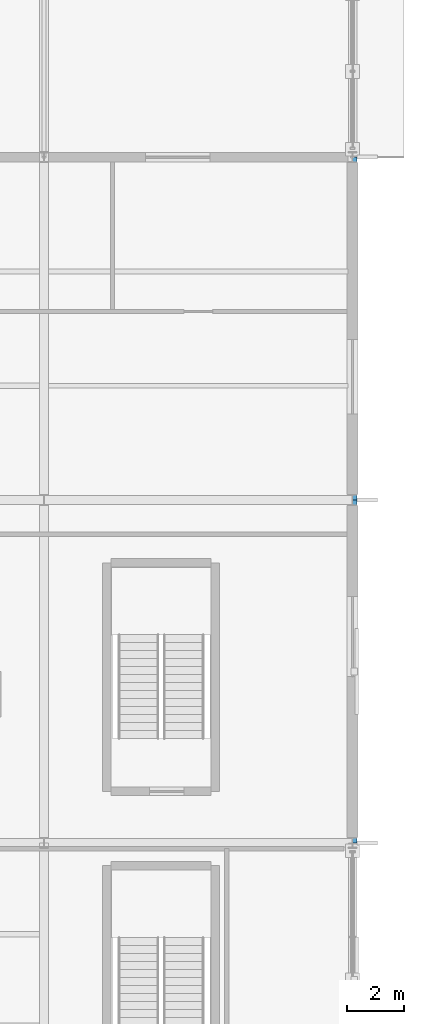
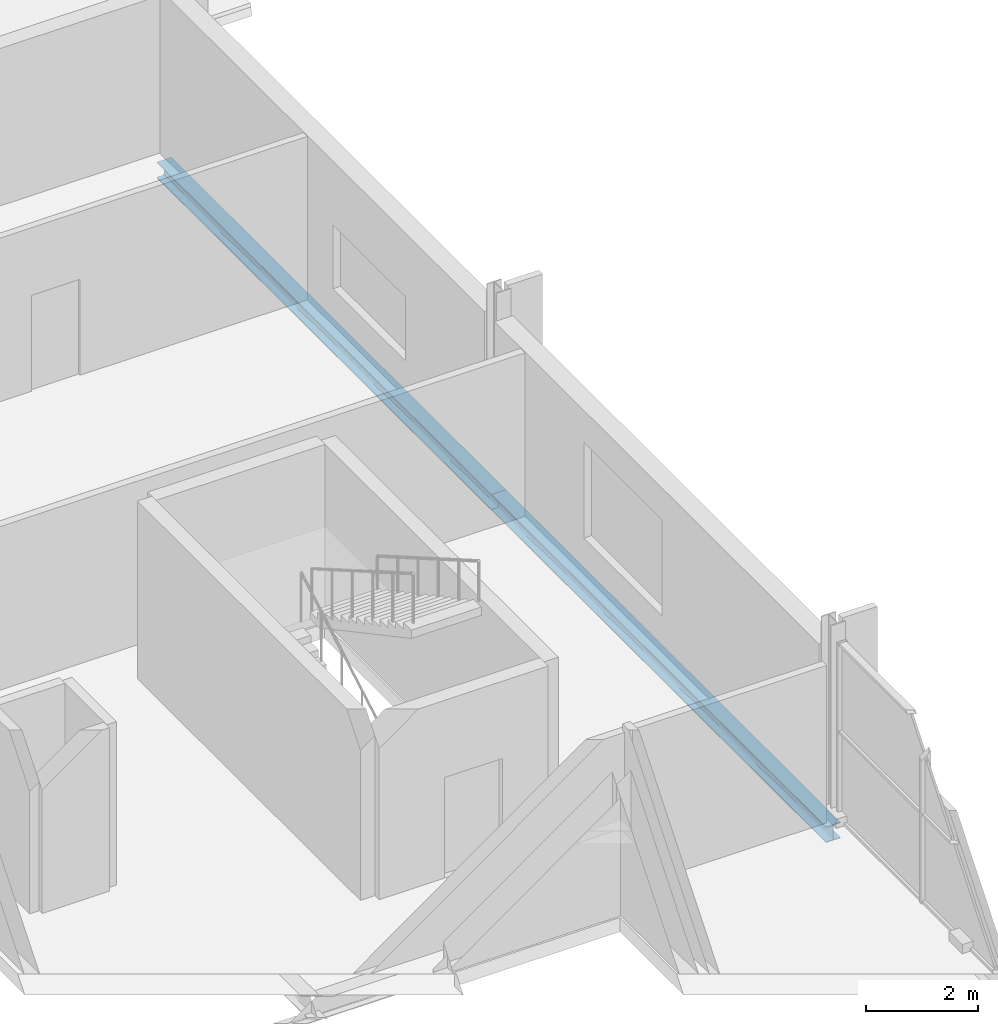
# One storey, part 85 of 117: 2 beams.
"""IFC4 building model written with IfcOpenShell, lengths in metres."""

from ifc_helpers import new_model, si_unit, direction, frame, origin, origin_2d, place, context, subcontext, project, spatial, i_section, extrude, material, material_profile, profile_set, type_object, element, save


model = new_model("IFC4")

# Units and contexts
model_context = context("Model", 3, precision=1e-05, world=origin(), true_north=direction((0.0, 1.0)))
body_context = subcontext(model_context, "Body", "Model", "MODEL_VIEW")
ifc_project = project(units=[si_unit("LENGTHUNIT", "METRE"), si_unit("AREAUNIT", "SQUARE_METRE"), si_unit("VOLUMEUNIT", "CUBIC_METRE"), si_unit("PLANEANGLEUNIT", "RADIAN"), si_unit("MASSUNIT", "GRAM", prefix="KILO")], contexts=[model_context])

# Site, building, storey
site_placement = place(None, origin())
site = spatial("IfcSite", under=ifc_project, at=site_placement, CompositionType="ELEMENT")
building_placement = place(site_placement, origin())
building = spatial("IfcBuilding", under=site, at=building_placement, Name="Merenkruunu Market Hall", CompositionType="ELEMENT")
storey_placement = place(building_placement, frame((0.0, 0.0, 10.199951171875)))
storey = spatial("IfcBuildingStorey", under=building, at=storey_placement, Name="L02", CompositionType="ELEMENT", Elevation=10.199951171875)

# Beams
ifc_material = material(Name="Steel S355J2", Category="steel")
ifc_material_profile = material_profile(ifc_material, i_section(OverallWidth=0.300048828125, OverallDepth=0.35009765625, WebThickness=0.010009765625, FlangeThickness=0.017578125, FilletRadius=0.027099609375, at=origin_2d()), Name="HEA 360")
ifc_profile_set = profile_set([ifc_material_profile], Name="Steel S355J2")
beam_type = type_object("IfcBeamType", Name="Primary Floor Girder B08", PredefinedType="BEAM", material=ifc_profile_set)
for number, where, z_axis, x_axis, name in (
    (1, (192.0, 15.60009765625, -0.48486328125), (0.0, 1.0, 0.0), (-1.0, 0.0, 0.0), "BM-L02-B08-0814"),
    (2, (192.0, 27.60009765625, -0.48486328125), (0.0, 1.0, 0.0), (-1.0, 0.0, 0.0), "BM-L02-B08-0815"),
):
    element("IfcBeam", number, at=place(storey_placement, frame(where, z_axis=z_axis, x_axis=x_axis)), inside=storey, type_object=beam_type, Name=name, PredefinedType="BEAM", context=body_context, shape_type="SweptSolid", body=[
        extrude(i_section(OverallWidth=0.300048828125, OverallDepth=0.35009765625, WebThickness=0.010009765625, FlangeThickness=0.017578125, FilletRadius=0.027099609375, at=origin_2d()), origin(), (0.0, 0.0, 1.0), 12.0),
    ])

save(model, "model.ifc")
